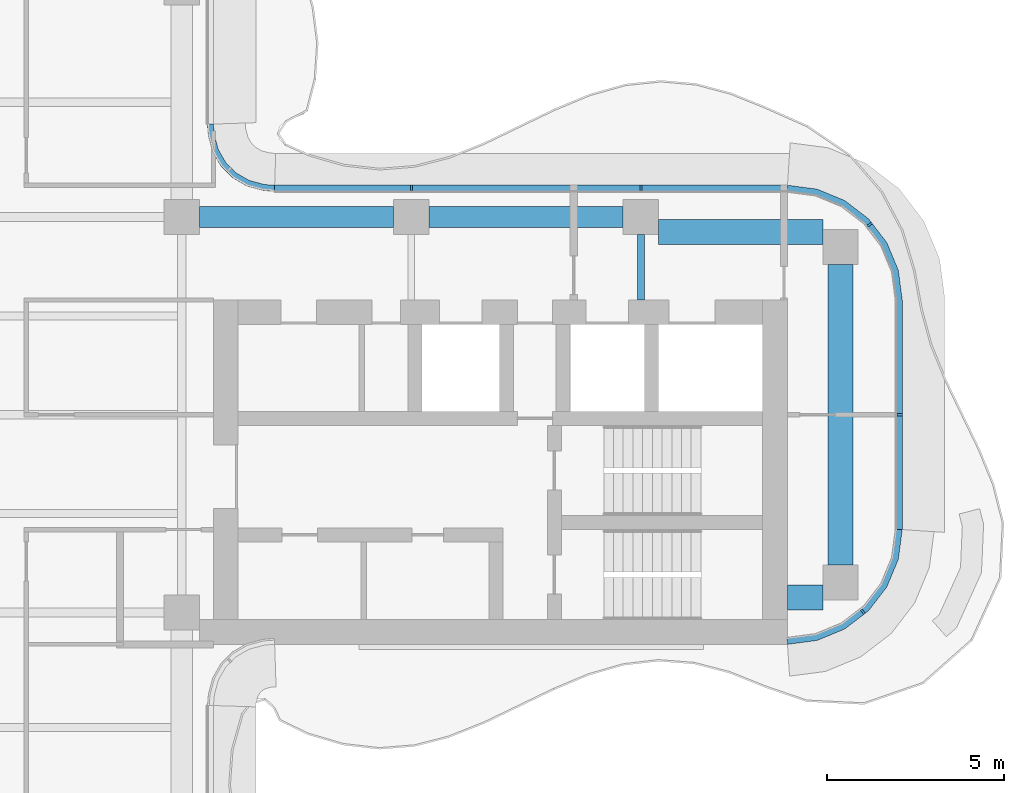
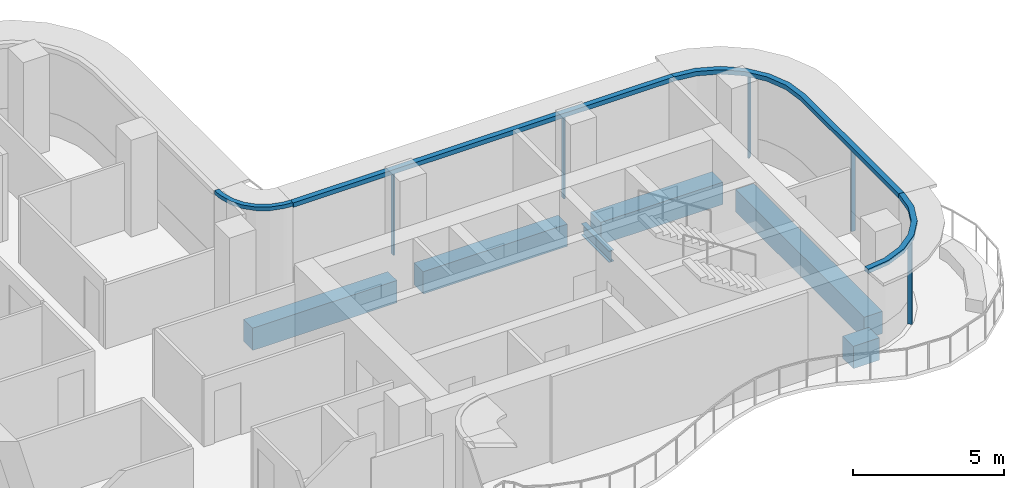
# One storey, part 6 of 15: 9 members, 6 beams, 4 elements without a shape of their own.
"""IFC4 building model written with IfcOpenShell, lengths in metres."""

from ifc_helpers import new_model, si_unit, direction, frame, origin, origin_2d, place, context, subcontext, project, spatial, polyline, rectangle, i_section, outline, extrude, source, transform, mapped, material, layer, layer_set, material_profile, profile_set, type_object, element, aggregate, save


model = new_model("IFC4")

# Units and contexts
model_context = context("Model", 3, precision=1e-05, world=origin(), true_north=direction((0.0, 1.0)))
body_context = subcontext(model_context, "Body", "Model", "MODEL_VIEW")
ifc_project = project(units=[si_unit("LENGTHUNIT", "METRE"), si_unit("AREAUNIT", "SQUARE_METRE"), si_unit("VOLUMEUNIT", "CUBIC_METRE"), si_unit("PLANEANGLEUNIT", "RADIAN"), si_unit("MASSUNIT", "GRAM", prefix="KILO")], contexts=[model_context])

# Site, building, storey
site_placement = place(None, origin())
site = spatial("IfcSite", under=ifc_project, at=site_placement, CompositionType="ELEMENT")
building_placement = place(site_placement, origin())
building = spatial("IfcBuilding", under=site, at=building_placement, Name="Trellis Farm Tower", CompositionType="ELEMENT")
storey_placement = place(building_placement, frame((0.0, 0.0, 326.199951171875)))
storey = spatial("IfcBuildingStorey", under=building, at=storey_placement, Name="L74", CompositionType="ELEMENT", Elevation=326.199951171875)

# Beams
ifc_material_1 = material(Name="Steel S355", Category="steel")
ifc_material_profile_1 = material_profile(ifc_material_1, i_section(OverallWidth=0.1904296875, OverallDepth=0.45703125, WebThickness=0.009033203125, FlangeThickness=0.014404296875, FilletRadius=0.01025390625, at=origin_2d()), Name="UB 457x191x74")
ifc_profile_set_1 = profile_set([ifc_material_profile_1], Name="Steel S355")
beam_type_1 = type_object("IfcBeamType", Name="UB 457x191x74", PredefinedType="BEAM", material=ifc_profile_set_1)
shared_shape_1 = source(origin(), body_context, "Body", "SweptSolid", [
    extrude(i_section(OverallWidth=0.1904296875, OverallDepth=0.45703125, WebThickness=0.009033203125, FlangeThickness=0.014404296875, FilletRadius=0.01025390625, at=origin_2d()), origin(), (0.0, 0.0, 1.0), 1.85009765625),
])
beam_1_placement = place(storey_placement, frame((18.60009765625, 3.25, -0.428466796875), z_axis=(0.0, 1.0, 0.0), x_axis=(-1.0, 0.0, 0.0)))
element("IfcBeam", 1, at=beam_1_placement, inside=storey, type_object=beam_type_1, Name="Girder", PredefinedType="BEAM", context=body_context, shape_type="MappedRepresentation", body=[
    mapped(shared_shape_1, transform((0.0, 0.0, 0.0))),
])
ifc_material_2 = material(Name="Concrete C60/75", Category="concrete")
ifc_material_profile_2 = material_profile(ifc_material_2, rectangle(XDim=0.60009765625, YDim=0.89990234375, at=origin_2d()), Name="RC spandrel beam 600x900 C60/75")
ifc_profile_set_2 = profile_set([ifc_material_profile_2], Name="Concrete C60/75")
beam_type_2 = type_object("IfcBeamType", Name="RC spandrel beam 600x900 C60/75", PredefinedType="SPANDREL", material=ifc_profile_set_2)
shared_shape_2 = source(origin(), body_context, "Body", "SweptSolid", [
    extrude(rectangle(XDim=0.60009765625, YDim=0.89990234375, at=origin_2d()), origin(), (0.0, 0.0, 1.0), 5.5),
])
for number, where, z_axis, x_axis, name in (
    (2, (6.10009765625, 5.60009765625, -0.64990234375), (1.0, 0.0, 0.0), (0.0, 1.0, 0.0), "Girder"),
    (3, (12.60009765625, 5.60009765625, -0.64990234375), (1.0, 0.0, 0.0), (0.0, 1.0, 0.0), "Girder"),
):
    element("IfcBeam", number, at=place(storey_placement, frame(where, z_axis=z_axis, x_axis=x_axis)), inside=storey, type_object=beam_type_2, Name=name, PredefinedType="SPANDREL", context=body_context, shape_type="MappedRepresentation", body=[
        mapped(shared_shape_2, transform((0.0, 0.0, 0.0))),
    ])
ifc_material_profile_3 = material_profile(ifc_material_2, rectangle(XDim=0.699951171875, YDim=0.89990234375, at=origin_2d()), Name="RC spandrel beam 700x900 C60/75")
ifc_profile_set_3 = profile_set([ifc_material_profile_3], Name="Concrete C60/75")
beam_type_3 = type_object("IfcBeamType", Name="RC spandrel beam 700x900 C60/75", PredefinedType="SPANDREL", material=ifc_profile_set_3)
shared_shape_3 = source(origin(), body_context, "Body", "SweptSolid", [
    extrude(rectangle(XDim=0.699951171875, YDim=0.89990234375, at=origin_2d()), origin(), (0.0, 0.0, 1.0), 1.0),
])
beam_2_placement = place(storey_placement, frame((22.75, -5.175048828125, -0.64990234375), z_axis=(1.0, 0.0, 0.0), x_axis=(0.0, 1.0, 0.0)))
element("IfcBeam", 4, at=beam_2_placement, inside=storey, type_object=beam_type_3, Name="Girder", PredefinedType="SPANDREL", context=body_context, shape_type="MappedRepresentation", body=[
    mapped(shared_shape_3, transform((0.0, 0.0, 0.0))),
])
shared_shape_4 = source(origin(), body_context, "Body", "SweptSolid", [
    extrude(rectangle(XDim=0.699951171875, YDim=0.89990234375, at=origin_2d()), origin(), (0.0, 0.0, 1.0), 4.64990234375),
])
beam_3_placement = place(storey_placement, frame((19.10009765625, 5.175048828125, -0.64990234375), z_axis=(1.0, 0.0, 0.0), x_axis=(0.0, 1.0, 0.0)))
element("IfcBeam", 5, at=beam_3_placement, inside=storey, type_object=beam_type_3, Name="Girder", PredefinedType="SPANDREL", context=body_context, shape_type="MappedRepresentation", body=[
    mapped(shared_shape_4, transform((0.0, 0.0, 0.0))),
])
shared_shape_5 = source(origin(), body_context, "Body", "SweptSolid", [
    extrude(rectangle(XDim=0.699951171875, YDim=0.89990234375, at=origin_2d()), origin(), (0.0, 0.0, 1.0), 8.5),
])
beam_4_placement = place(storey_placement, frame((24.25, -4.25, -0.64990234375), z_axis=(0.0, 1.0, 0.0), x_axis=(-1.0, 0.0, 0.0)))
element("IfcBeam", 6, at=beam_4_placement, inside=storey, type_object=beam_type_3, Name="Girder", PredefinedType="SPANDREL", context=body_context, shape_type="MappedRepresentation", body=[
    mapped(shared_shape_5, transform((0.0, 0.0, 0.0))),
])

# Curtain wall, member
ifc_material_3 = material(Name="Aluminium and glass curtain wall", Category="aluminium")
ifc_layer_1 = layer(ifc_material_3, 0.166015625)
ifc_layer_set_1 = layer_set([ifc_layer_1], Name="WINTER GARDEN CURTAIN WALL CW3")
curtain_wall_type_1 = type_object("IfcCurtainWallType", Name="WINTER GARDEN CURTAIN WALL CW3", PredefinedType="NOTDEFINED", material=ifc_layer_set_1)
placement_1 = place(storey_placement, origin())
curtain_wall_1 = element("IfcCurtainWall", 7, at=placement_1, inside=storey, type_object=curtain_wall_type_1, Name="CW3 003", PredefinedType="NOTDEFINED")
ifc_material_4 = material(Name="Aluminium extrusion 6063-T6", Category="aluminium")
ifc_layer_2 = layer(ifc_material_4, 0.169921875)
ifc_layer_set_2 = layer_set([ifc_layer_2], Name="Aluminium extrusion 6063-T6")
member_type_1 = type_object("IfcMemberType", Name="CW3 TRANSOM 170x150", PredefinedType="USERDEFINED", material=ifc_layer_set_2)
shared_shape_6 = source(origin(), body_context, "Body", "SweptSolid", [
    extrude(outline(polyline([(8.2314453125, 6.5), (8.01953125, 6.513916015625), (7.91552734375, 6.527587890625), (7.508544921875, 6.63671875), (7.144287109375, 6.846923828125), (6.846923828125, 7.144287109375), (6.63671875, 7.508544921875), (6.527587890625, 7.91552734375), (6.513916015625, 8.01953125), (6.5, 8.2314453125), (6.330078125, 8.225830078125), (6.3447265625, 8.0029296875), (6.360595703125, 7.88232421875), (6.478271484375, 7.44287109375), (6.7109375, 7.0400390625), (7.0400390625, 6.7109375), (7.44287109375, 6.478271484375), (7.88232421875, 6.360595703125), (8.0029296875, 6.3447265625), (8.225830078125, 6.330078125), (8.2314453125, 6.5)])), origin(), (0.0, 0.0, 1.0), 0.14990234375),
])
member_1_placement = place(storey_placement, frame((0.0, 0.0, 3.35009765625)))
member_1 = element("IfcMember", 8, at=member_1_placement, type_object=member_type_1, Name="TR3 003", ObjectType="TRANSOM", PredefinedType="USERDEFINED", context=body_context, shape_type="MappedRepresentation", body=[
    mapped(shared_shape_6, transform((0.0, 0.0, 0.0))),
])
aggregate(curtain_wall_1, [member_1])

ifc_layer_3 = layer(ifc_material_3, 0.18994140625)
ifc_layer_set_3 = layer_set([ifc_layer_3], Name="RIBBON CURTAIN WALL CW1")
curtain_wall_type_2 = type_object("IfcCurtainWallType", Name="RIBBON CURTAIN WALL CW1", PredefinedType="NOTDEFINED", material=ifc_layer_set_3)
curtain_wall_2 = element("IfcCurtainWall", 9, at=placement_1, inside=storey, type_object=curtain_wall_type_2, Name="CW1 006", PredefinedType="NOTDEFINED")
ifc_layer_4 = layer(ifc_material_4, 0.199951171875)
ifc_layer_set_4 = layer_set([ifc_layer_4], Name="Aluminium extrusion 6063-T6")
member_type_2 = type_object("IfcMemberType", Name="CW1 TRANSOM 200x180", PredefinedType="USERDEFINED", material=ifc_layer_set_4)
shared_shape_7 = source(origin(), body_context, "Body", "SweptSolid", [
    extrude(outline(polyline([(22.75, -6.5), (23.591064453125, -6.38916015625), (24.375, -6.064697265625), (25.048095703125, -5.548095703125), (25.564697265625, -4.875), (25.88916015625, -4.091064453125), (26.0, -3.25), (25.800048828125, -3.23681640625), (25.6943359375, -4.0390625), (25.389892578125, -4.774169921875), (24.905517578125, -5.405517578125), (24.274169921875, -5.889892578125), (23.5390625, -6.1943359375), (22.73681640625, -6.300048828125), (22.75, -6.5)])), origin(), (0.0, 0.0, 1.0), 0.179931640625),
])
placement_2 = place(storey_placement, frame((0.0, 0.0, 3.320068359375)))
member_2 = element("IfcMember", 10, at=placement_2, type_object=member_type_2, Name="TR1 006", ObjectType="TRANSOM", PredefinedType="USERDEFINED", context=body_context, shape_type="MappedRepresentation", body=[
    mapped(shared_shape_7, transform((0.0, 0.0, 0.0))),
])

curtain_wall_3 = element("IfcCurtainWall", 11, at=placement_1, inside=storey, type_object=curtain_wall_type_2, Name="CW1 008", PredefinedType="NOTDEFINED")
shared_shape_8 = source(origin(), body_context, "Body", "SweptSolid", [
    extrude(outline(polyline([(22.75, 6.5), (8.2314453125, 6.5), (8.224853515625, 6.300048828125), (22.73681640625, 6.300048828125), (22.75, 6.5)])), origin(), (0.0, 0.0, 1.0), 0.179931640625),
])
member_3 = element("IfcMember", 12, at=placement_2, type_object=member_type_2, Name="TR1 008", ObjectType="TRANSOM", PredefinedType="USERDEFINED", context=body_context, shape_type="MappedRepresentation", body=[
    mapped(shared_shape_8, transform((0.0, 0.0, 0.0))),
])

curtain_wall_4 = element("IfcCurtainWall", 13, at=placement_1, inside=storey, type_object=curtain_wall_type_2, Name="CW1 007", PredefinedType="NOTDEFINED")
shared_shape_9 = source(origin(), body_context, "Body", "SweptSolid", [
    extrude(outline(polyline([(26.0, -3.25), (26.0, 3.25), (25.88916015625, 4.091064453125), (25.564697265625, 4.875), (25.048095703125, 5.548095703125), (24.375, 6.064697265625), (23.591064453125, 6.38916015625), (22.75, 6.5), (22.73681640625, 6.300048828125), (23.5390625, 6.1943359375), (24.274169921875, 5.889892578125), (24.905517578125, 5.405517578125), (25.389892578125, 4.774169921875), (25.6943359375, 4.0390625), (25.800048828125, 3.23681640625), (25.800048828125, -3.23681640625), (26.0, -3.25)])), origin(), (0.0, 0.0, 1.0), 0.179931640625),
])
member_4 = element("IfcMember", 14, at=placement_2, type_object=member_type_2, Name="TR1 007", ObjectType="TRANSOM", PredefinedType="USERDEFINED", context=body_context, shape_type="MappedRepresentation", body=[
    mapped(shared_shape_9, transform((0.0, 0.0, 0.0))),
])

# Member
ifc_material_profile_4 = material_profile(ifc_material_4, rectangle(XDim=0.06005859375, YDim=0.14990234375, at=origin_2d()), Name="MULLION 60x150")
ifc_profile_set_4 = profile_set([ifc_material_profile_4], Name="Aluminium extrusion 6063-T6")
member_type_3 = type_object("IfcMemberType", Name="CW1 MULLION 60x150", PredefinedType="MULLION", material=ifc_profile_set_4)
shared_shape_10 = source(origin(), body_context, "Body", "SweptSolid", [
    extrude(rectangle(XDim=0.06005859375, YDim=0.14990234375, at=origin_2d()), origin(), (0.0, 0.0, 1.0), 3.320068359375),
])
member_5_placement = place(storey_placement, frame((24.885498046875, -5.578369140625, 0.0), z_axis=(0.0, 0.0, 1.0), x_axis=(0.793353340291, 0.608761429009, 0.0)))
member_5 = element("IfcMember", 15, at=member_5_placement, type_object=member_type_3, Name="MU1 006-01", PredefinedType="MULLION", context=body_context, shape_type="MappedRepresentation", body=[
    mapped(shared_shape_10, transform((0.0, 0.0, 0.0))),
])

aggregate(curtain_wall_2, [member_5, member_2])

member_6_placement = place(storey_placement, frame((25.925048828125, 0.0, 0.0), z_axis=(0.0, 0.0, 1.0), x_axis=(0.0, 1.0, 0.0)))
member_6 = element("IfcMember", 16, at=member_6_placement, type_object=member_type_3, Name="MU1 007-01", PredefinedType="MULLION", context=body_context, shape_type="MappedRepresentation", body=[
    mapped(shared_shape_10, transform((0.0, 0.0, 0.0))),
])

member_7_placement = place(storey_placement, frame((25.078369140625, 5.385498046875, 0.0), z_axis=(0.0, 0.0, 1.0), x_axis=(-0.608761429009, 0.793353340291, 0.0)))
member_7 = element("IfcMember", 17, at=member_7_placement, type_object=member_type_3, Name="MU1 007-02", PredefinedType="MULLION", context=body_context, shape_type="MappedRepresentation", body=[
    mapped(shared_shape_10, transform((0.0, 0.0, 0.0))),
])

aggregate(curtain_wall_4, [member_6, member_7, member_4])

member_8_placement = place(storey_placement, frame((18.60009765625, 6.425048828125, 0.0), z_axis=(0.0, 0.0, 1.0), x_axis=(-1.0, 0.0, 0.0)))
member_8 = element("IfcMember", 18, at=member_8_placement, type_object=member_type_3, Name="MU1 008-01", PredefinedType="MULLION", context=body_context, shape_type="MappedRepresentation", body=[
    mapped(shared_shape_10, transform((0.0, 0.0, 0.0))),
])

member_9_placement = place(storey_placement, frame((12.10009765625, 6.425048828125, 0.0), z_axis=(0.0, 0.0, 1.0), x_axis=(-1.0, 0.0, 0.0)))
member_9 = element("IfcMember", 19, at=member_9_placement, type_object=member_type_3, Name="MU1 008-02", PredefinedType="MULLION", context=body_context, shape_type="MappedRepresentation", body=[
    mapped(shared_shape_10, transform((0.0, 0.0, 0.0))),
])

aggregate(curtain_wall_3, [member_8, member_9, member_3])

save(model, "model.ifc")
